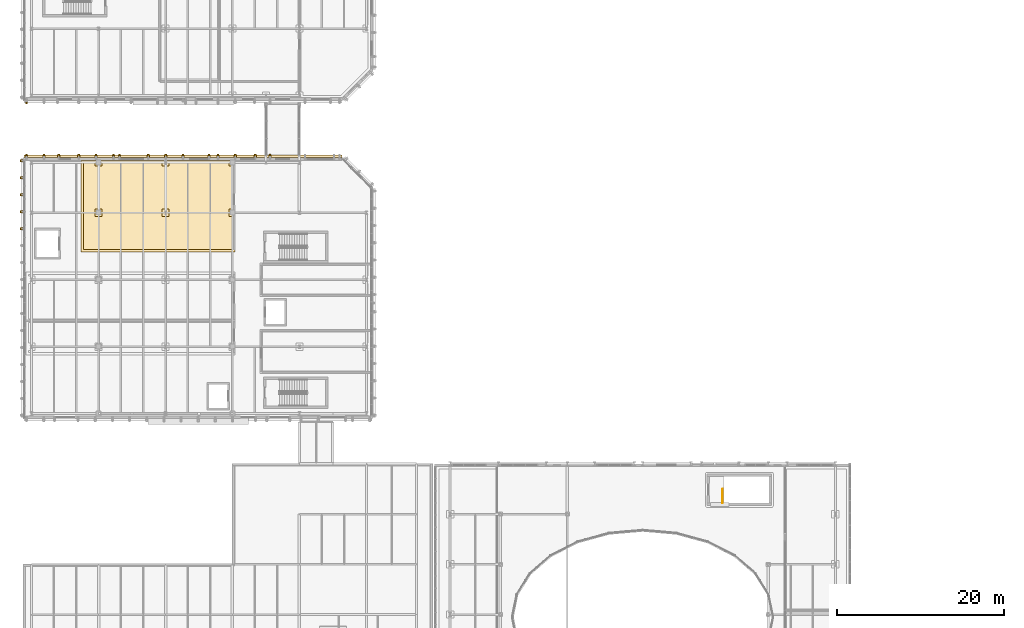
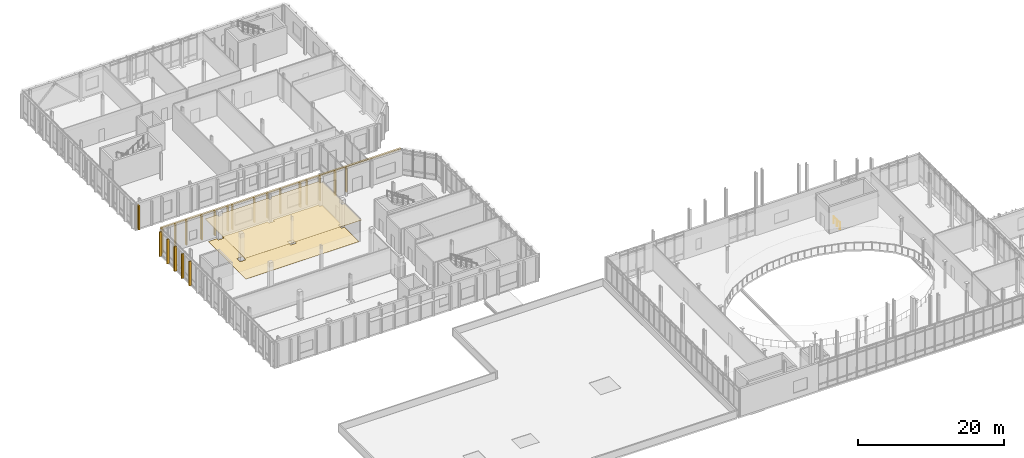
# One storey, part 79 of 86: 24 coverings, 1 railing.
"""IFC4 building model written with IfcOpenShell, lengths in metres."""

from ifc_helpers import new_model, si_unit, direction, frame, origin, origin_2d, place, context, subcontext, project, spatial, polyline, rectangle, circle, outline, extrude, material, layer, layer_set, type_object, element, save


model = new_model("IFC4")

# Units and contexts
model_context = context("Model", 3, precision=1e-05, world=origin(), true_north=direction((0.0, 1.0)))
body_context = subcontext(model_context, "Body", "Model", "MODEL_VIEW")
ifc_project = project(units=[si_unit("LENGTHUNIT", "METRE"), si_unit("AREAUNIT", "SQUARE_METRE"), si_unit("VOLUMEUNIT", "CUBIC_METRE"), si_unit("PLANEANGLEUNIT", "RADIAN"), si_unit("MASSUNIT", "GRAM", prefix="KILO")], contexts=[model_context])

# Site, building, storey
site_placement = place(None, origin())
site = spatial("IfcSite", under=ifc_project, at=site_placement, CompositionType="ELEMENT")
building_placement = place(site_placement, origin())
building = spatial("IfcBuilding", under=site, at=building_placement, Name="Cymarion Research Institute", CompositionType="ELEMENT")
storey_placement = place(building_placement, frame((0.0, 0.0, 13.800048828125)))
storey = spatial("IfcBuildingStorey", under=building, at=storey_placement, Name="L03", CompositionType="ELEMENT", Elevation=13.800048828125)

# Covering
ifc_material_1 = material(Name="Micro-perforated mineral acoustic ceiling tile", Category="gypsum")
ifc_layer_1 = layer(ifc_material_1, 0.030029296875)
ifc_layer_set_1 = layer_set([ifc_layer_1], Name="Micro-perforated mineral acoustic ceiling tile")
covering_type_1 = type_object("IfcCoveringType", Name="ACOUSTIC MICRO-PERFORATED SUSPENDED CEILING CLG-01", PredefinedType="CEILING", material=ifc_layer_set_1)
covering_1_placement = place(storey_placement, frame((0.0, 0.0, 3.699951171875)))
element("IfcCovering", 1, at=covering_1_placement, inside=storey, type_object=covering_type_1, Name="L03 L03 Electron-Beam & Surface Metrology Laboratory acoustic ceiling", PredefinedType="CEILING", context=body_context, shape_type="SweptSolid", body=[
    extrude(outline(polyline([(14.465087890625, 77.715087890625), (14.465087890625, 77.364990234375), (14.735107421875, 77.364990234375), (14.735107421875, 77.715087890625), (22.465087890625, 77.715087890625), (22.465087890625, 77.364990234375), (22.735107421875, 77.364990234375), (22.735107421875, 77.715087890625), (30.465087890625, 77.715087890625), (30.465087890625, 77.364990234375), (30.9150390625, 77.364990234375), (30.9150390625, 71.635009765625), (30.465087890625, 71.635009765625), (30.465087890625, 71.364990234375), (30.9150390625, 71.364990234375), (30.9150390625, 66.784912109375), (12.485107421875, 66.784912109375), (12.485107421875, 77.715087890625), (14.465087890625, 77.715087890625)])), origin(), (0.0, 0.0, 1.0), 0.030029296875),
])

# Railing
ifc_material_2 = material(Name="Steel S355", Category="steel")
railing_type = type_object("IfcRailingType", Name="PAINTED STEEL STAIR GUARDRAIL GR1 1100MM", PredefinedType="GUARDRAIL", material=ifc_material_2)
railing_placement = place(storey_placement, frame((89.14990234375, 36.800048828125, 0.0)))
element("IfcRailing", 2, at=railing_placement, inside=storey, type_object=railing_type, Name="L03 ST4 top well guard 1", PredefinedType="GUARDRAIL", context=body_context, shape_type="SweptSolid", body=[
    extrude(circle(Radius=0.02392578125, at=origin_2d()), frame((0.0, 0.0, 1.076171875), z_axis=(0.0, 1.0, 0.0), x_axis=(-1.0, 0.0, 0.0)), (0.0, 0.0, 1.0), 1.679931640625),
    extrude(circle(Radius=0.02099609375, at=origin_2d()), origin(), (0.0, 0.0, 1.0), 1.052001953125),
    extrude(circle(Radius=0.02099609375, at=origin_2d()), frame((0.0, 0.83984375, 0.0)), (0.0, 0.0, 1.0), 1.052001953125),
    extrude(circle(Radius=0.02099609375, at=origin_2d()), frame((0.0, 1.679931640625, 0.0)), (0.0, 0.0, 1.0), 1.052001953125),
])

# Coverings
ifc_material_3 = material(Name="Precast concrete C45/55 architectural white", Category="concrete")
ifc_layer_2 = layer(ifc_material_3, 0.260009765625)
ifc_layer_set_2 = layer_set([ifc_layer_2], Name="Precast concrete C45/55 architectural white")
covering_type_2 = type_object("IfcCoveringType", Name="SCULPTURAL WHITE PRECAST CONCRETE SPANDREL BROW BAND RIB2 280MM", PredefinedType="CLADDING", material=ifc_layer_set_2)
covering_2_placement = place(storey_placement, frame((24.699951171875, 78.241943359375, 4.08984375), z_axis=(0.0, 0.0, 1.0), x_axis=(0.0, 1.0, 0.0)))
element("IfcCovering", 3, at=covering_2_placement, inside=storey, type_object=covering_type_2, Name="L03 V4 precast spandrel brow band RIB2 #706", PredefinedType="CLADDING", context=body_context, shape_type="SweptSolid", body=[
    extrude(rectangle(XDim=0.280029296875, YDim=37.9599609375, at=origin_2d()), origin(), (0.0, 0.0, 1.0), 0.260009765625),
])
ifc_layer_3 = layer(ifc_material_3, 0.199951171875)
ifc_layer_set_3 = layer_set([ifc_layer_3], Name="Precast concrete C45/55 architectural white")
covering_type_3 = type_object("IfcCoveringType", Name="SCULPTURAL WHITE PRECAST CONCRETE VERTICAL RIB RIB1 380X200", PredefinedType="CLADDING", material=ifc_layer_set_3)
for number, where, z_axis, x_axis, name in (
    (4, (35.0888671875, 78.2919921875, 0.009765625), (0.0, 0.0, 1.0), (0.0, 1.0, 0.0), "L03 V4 sculptural precast vertical rib RIB1 #710"),
    (5, (33.3203125, 78.2919921875, 0.009765625), (0.0, 0.0, 1.0), (0.0, 1.0, 0.0), "L03 V4 sculptural precast vertical rib RIB1 #711"),
    (6, (30.933349609375, 78.2919921875, 0.009765625), (0.0, 0.0, 1.0), (0.0, 1.0, 0.0), "L03 V4 sculptural precast vertical rib RIB1 #712"),
    (7, (28.855712890625, 78.2919921875, 0.009765625), (0.0, 0.0, 1.0), (0.0, 1.0, 0.0), "L03 V4 sculptural precast vertical rib RIB1 #713"),
    (8, (27.80029296875, 78.2919921875, 0.009765625), (0.0, 0.0, 1.0), (0.0, 1.0, 0.0), "L03 V4 sculptural precast vertical rib RIB1 #714"),
    (9, (24.699951171875, 78.2919921875, 0.009765625), (0.0, 0.0, 1.0), (0.0, 1.0, 0.0), "L03 V4 sculptural precast vertical rib RIB1 #715"),
    (10, (22.622314453125, 78.2919921875, 0.009765625), (0.0, 0.0, 1.0), (0.0, 1.0, 0.0), "L03 V4 sculptural precast vertical rib RIB1 #716"),
    (11, (20.54443359375, 78.2919921875, 0.009765625), (0.0, 0.0, 1.0), (0.0, 1.0, 0.0), "L03 V4 sculptural precast vertical rib RIB1 #717"),
    (12, (17.10009765625, 78.2919921875, 0.009765625), (0.0, 0.0, 1.0), (0.0, 1.0, 0.0), "L03 V4 sculptural precast vertical rib RIB1 #718"),
    (13, (16.388916015625, 78.2919921875, 0.009765625), (0.0, 0.0, 1.0), (0.0, 1.0, 0.0), "L03 V4 sculptural precast vertical rib RIB1 #719"),
    (14, (14.31103515625, 78.2919921875, 0.009765625), (0.0, 0.0, 1.0), (0.0, 1.0, 0.0), "L03 V4 sculptural precast vertical rib RIB1 #720"),
    (15, (12.2333984375, 78.2919921875, 0.009765625), (0.0, 0.0, 1.0), (0.0, 1.0, 0.0), "L03 V4 sculptural precast vertical rib RIB1 #721"),
    (16, (9.85009765625, 78.2919921875, 0.009765625), (0.0, 0.0, 1.0), (0.0, 1.0, 0.0), "L03 V4 sculptural precast vertical rib RIB1 #722"),
    (17, (8.077880859375, 78.2919921875, 0.009765625), (0.0, 0.0, 1.0), (0.0, 1.0, 0.0), "L03 V4 sculptural precast vertical rib RIB1 #723"),
    (18, (6.0, 78.2919921875, 0.009765625), (0.0, 0.0, 1.0), (0.0, 1.0, 0.0), "L03 V4 sculptural precast vertical rib RIB1 #724"),
    (19, (5.407958984375, 77.699951171875, 0.009765625), (0.0, 0.0, 1.0), (-1.0, 0.0, 0.0), "L03 V4 sculptural precast vertical rib RIB1 #726"),
    (20, (5.407958984375, 75.67333984375, 0.009765625), (0.0, 0.0, 1.0), (-1.0, 0.0, 0.0), "L03 V4 sculptural precast vertical rib RIB1 #727"),
    (21, (5.407958984375, 73.646728515625, 0.009765625), (0.0, 0.0, 1.0), (-1.0, 0.0, 0.0), "L03 V4 sculptural precast vertical rib RIB1 #728"),
    (22, (5.407958984375, 71.6201171875, 0.009765625), (0.0, 0.0, 1.0), (-1.0, 0.0, 0.0), "L03 V4 sculptural precast vertical rib RIB1 #729"),
    (23, (5.407958984375, 69.59326171875, 0.009765625), (0.0, 0.0, 1.0), (-1.0, 0.0, 0.0), "L03 V4 sculptural precast vertical rib RIB1 #730"),
    (24, (6.0, 84.7080078125, 0.009765625), (0.0, 0.0, 1.0), (0.0, -1.0, 0.0), "L03 V5 sculptural precast vertical rib RIB1 #743"),
):
    element("IfcCovering", number, at=place(storey_placement, frame(where, z_axis=z_axis, x_axis=x_axis)), inside=storey, type_object=covering_type_3, Name=name, PredefinedType="CLADDING", context=body_context, shape_type="SweptSolid", body=[
        extrude(rectangle(XDim=0.3798828125, YDim=0.199951171875, at=origin_2d()), origin(), (0.0, 0.0, 1.0), 4.074951171875),
    ])
ifc_material_4 = material(Name="Seamless dissipative epoxy resin flooring", Category="resin")
ifc_layer_4 = layer(ifc_material_4, 0.02001953125)
ifc_layer_set_4 = layer_set([ifc_layer_4], Name="Seamless dissipative epoxy resin flooring")
covering_type_4 = type_object("IfcCoveringType", Name="SEAMLESS ESD EPOXY LABORATORY FLOORING FLR-01", PredefinedType="FLOORING", material=ifc_layer_set_4)
covering_3_placement = place(storey_placement, origin())
element("IfcCovering", 25, at=covering_3_placement, inside=storey, type_object=covering_type_4, Name="L03 L03 Electron-Beam & Surface Metrology Laboratory ESD epoxy flooring", PredefinedType="FLOORING", context=body_context, shape_type="SweptSolid", body=[
    extrude(outline(polyline([(12.784912109375, 77.4150390625), (14.1650390625, 77.4150390625), (14.1650390625, 77.06494140625), (15.034912109375, 77.06494140625), (15.034912109375, 77.4150390625), (22.1650390625, 77.4150390625), (22.1650390625, 77.06494140625), (23.034912109375, 77.06494140625), (23.034912109375, 77.4150390625), (30.1650390625, 77.4150390625), (30.1650390625, 77.06494140625), (30.614990234375, 77.06494140625), (30.614990234375, 71.93505859375), (30.1650390625, 71.93505859375), (30.1650390625, 71.06494140625), (30.614990234375, 71.06494140625), (30.614990234375, 67.0849609375), (12.784912109375, 67.0849609375), (12.784912109375, 77.4150390625)]), holes=[polyline([(22.1650390625, 71.93505859375), (22.1650390625, 71.06494140625), (23.034912109375, 71.06494140625), (23.034912109375, 71.93505859375), (22.1650390625, 71.93505859375)]), polyline([(15.034912109375, 71.93505859375), (14.1650390625, 71.93505859375), (14.1650390625, 71.06494140625), (15.034912109375, 71.06494140625), (15.034912109375, 71.93505859375)])]), origin(), (0.0, 0.0, 1.0), 0.02001953125),
])

save(model, "model.ifc")
